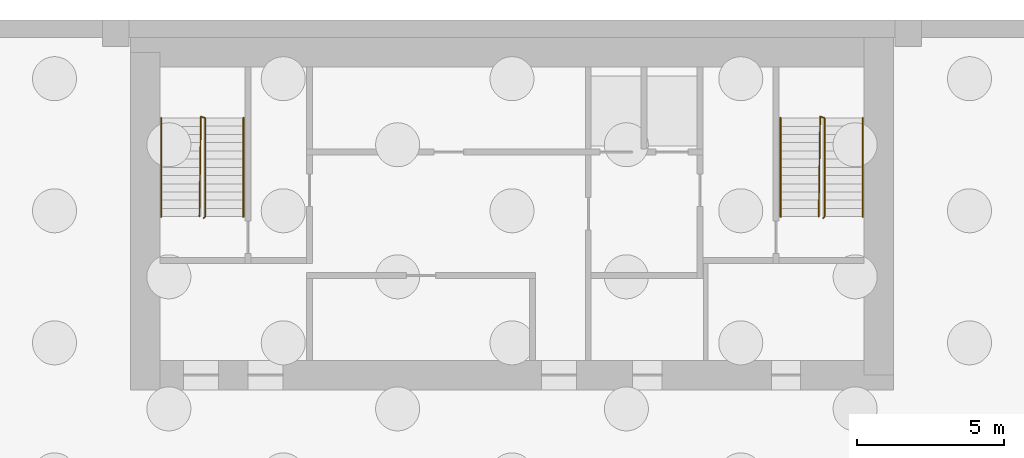
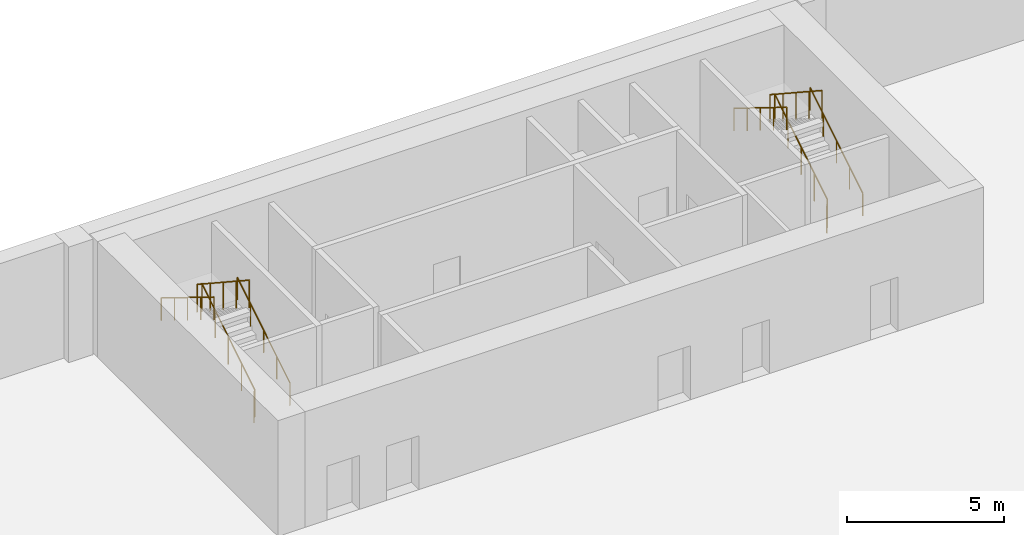
# One storey, part 4 of 5: 6 railings.
"""IFC4 building model written with IfcOpenShell, lengths in metres."""

from ifc_helpers import new_model, si_unit, direction, frame, origin, origin_2d, place, context, subcontext, project, spatial, circle, extrude, material, type_object, element, save


model = new_model("IFC4")

# Units and contexts
model_context = context("Model", 3, precision=1e-05, world=origin(), true_north=direction((0.0, 1.0)))
body_context = subcontext(model_context, "Body", "Model", "MODEL_VIEW")
ifc_project = project(units=[si_unit("LENGTHUNIT", "METRE"), si_unit("AREAUNIT", "SQUARE_METRE"), si_unit("VOLUMEUNIT", "CUBIC_METRE"), si_unit("PLANEANGLEUNIT", "RADIAN"), si_unit("MASSUNIT", "GRAM", prefix="KILO")], contexts=[model_context])

# Site, building, storey
site_placement = place(None, origin())
site = spatial("IfcSite", under=ifc_project, at=site_placement, CompositionType="ELEMENT")
building_placement = place(site_placement, origin())
building = spatial("IfcBuilding", under=site, at=building_placement, Name="Altiplano Prism Tower", CompositionType="ELEMENT")
storey_placement = place(building_placement, frame((0.0, 0.0, -9.0)))
storey = spatial("IfcBuildingStorey", under=building, at=storey_placement, Name="B2", CompositionType="ELEMENT", Elevation=-9.0)

# Railings
ifc_material = material(Name="Steel S355", Category="steel")
railing_type_1 = type_object("IfcRailingType", Name="Stair guard 1100", PredefinedType="GUARDRAIL", material=ifc_material)
railing_1_placement = place(storey_placement, frame((74.5, 98.25, 0.0)))
element("IfcRailing", 1, at=railing_1_placement, inside=storey, type_object=railing_type_1, Name="B2 ST1 stair guard 1", PredefinedType="GUARDRAIL", context=body_context, shape_type="SweptSolid", body=[
    extrude(circle(Radius=0.02392578125, at=origin_2d()), frame((0.0, 0.0, 1.076171875), z_axis=(0.267629722418, 0.267629722418, 0.925607186314), x_axis=(-0.707106781187, 0.707106781187, 0.0)), (0.0, 0.0, 1.0), 0.18701171875),
    extrude(circle(Radius=0.02392578125, at=origin_2d()), frame((0.050048828125, 0.050048828125, 1.2490234375), z_axis=(0.0, 0.850606129759, 0.525803396734), x_axis=(-1.0, 0.0, 0.0)), (0.0, 0.0, 1.0), 3.949951171875),
    extrude(circle(Radius=0.02392578125, at=origin_2d()), frame((0.050048828125, 3.409912109375, 3.326171875), z_axis=(-0.948683298051, 0.316227766017, 0.0), x_axis=(-0.316227766017, -0.948683298051, 0.0)), (0.0, 0.0, 1.0), 0.158203125),
    extrude(circle(Radius=0.02392578125, at=origin_2d()), frame((-0.10009765625, 3.4599609375, 3.326171875), z_axis=(-0.0121901703, -0.834608375372, 0.55070887001), x_axis=(0.999893351539, -0.01460429897, 0.0)), (0.0, 0.0, 1.0), 4.085693359375),
    extrude(circle(Radius=0.02099609375, at=origin_2d()), origin(), (0.0, 0.0, 1.0), 1.052001953125),
    extrude(circle(Radius=0.02099609375, at=origin_2d()), frame((0.050048828125, 0.050048828125, 0.173095703125)), (0.0, 0.0, 1.0), 1.052001953125),
    extrude(circle(Radius=0.02099609375, at=origin_2d()), frame((0.050048828125, 0.89013671875, 0.6923828125)), (0.0, 0.0, 1.0), 1.052001953125),
    extrude(circle(Radius=0.02099609375, at=origin_2d()), frame((0.050048828125, 1.72998046875, 1.21142578125)), (0.0, 0.0, 1.0), 1.052001953125),
    extrude(circle(Radius=0.02099609375, at=origin_2d()), frame((0.050048828125, 2.56982421875, 1.730712890625)), (0.0, 0.0, 1.0), 1.052001953125),
    extrude(circle(Radius=0.02099609375, at=origin_2d()), frame((0.050048828125, 3.409912109375, 2.25)), (0.0, 0.0, 1.0), 1.052001953125),
    extrude(circle(Radius=0.02099609375, at=origin_2d()), frame((-0.10009765625, 3.4599609375, 2.25)), (0.0, 0.0, 1.0), 1.052001953125),
    extrude(circle(Radius=0.02099609375, at=origin_2d()), frame((-0.112548828125, 2.607421875, 2.8125)), (0.0, 0.0, 1.0), 1.052001953125),
    extrude(circle(Radius=0.02099609375, at=origin_2d()), frame((-0.125, 1.7548828125, 3.375)), (0.0, 0.0, 1.0), 1.052001953125),
    extrude(circle(Radius=0.02099609375, at=origin_2d()), frame((-0.137451171875, 0.902587890625, 3.9375)), (0.0, 0.0, 1.0), 1.052001953125),
    extrude(circle(Radius=0.02099609375, at=origin_2d()), frame((-0.14990234375, 0.050048828125, 4.5)), (0.0, 0.0, 1.0), 1.052001953125),
])
railing_2_placement = place(storey_placement, frame((95.60009765625, 98.25, 0.0)))
element("IfcRailing", 2, at=railing_2_placement, inside=storey, type_object=railing_type_1, Name="B2 ST2 stair guard 1", PredefinedType="GUARDRAIL", context=body_context, shape_type="SweptSolid", body=[
    extrude(circle(Radius=0.02392578125, at=origin_2d()), frame((0.0, 0.0, 1.076171875), z_axis=(0.266417085129, 0.267723051232, 0.925929967433), x_axis=(-0.708833529934, 0.705375805398, 0.0)), (0.0, 0.0, 1.0), 0.18701171875),
    extrude(circle(Radius=0.02392578125, at=origin_2d()), frame((0.0498046875, 0.050048828125, 1.2490234375), z_axis=(0.0, 0.850606129759, 0.525803396734), x_axis=(-1.0, 0.0, 0.0)), (0.0, 0.0, 1.0), 3.949951171875),
    extrude(circle(Radius=0.02392578125, at=origin_2d()), frame((0.0498046875, 3.409912109375, 3.326171875), z_axis=(-0.948528701346, 0.316691178788, 0.0), x_axis=(-0.316691178788, -0.948528701346, 0.0)), (0.0, 0.0, 1.0), 0.157958984375),
    extrude(circle(Radius=0.02392578125, at=origin_2d()), frame((-0.10009765625, 3.4599609375, 3.326171875), z_axis=(-0.012249917091, -0.834607765926, 0.550708467873), x_axis=(0.999892303572, -0.014675873289, 0.0)), (0.0, 0.0, 1.0), 4.085693359375),
    extrude(circle(Radius=0.02099609375, at=origin_2d()), origin(), (0.0, 0.0, 1.0), 1.052001953125),
    extrude(circle(Radius=0.02099609375, at=origin_2d()), frame((0.0498046875, 0.050048828125, 0.173095703125)), (0.0, 0.0, 1.0), 1.052001953125),
    extrude(circle(Radius=0.02099609375, at=origin_2d()), frame((0.0498046875, 0.89013671875, 0.6923828125)), (0.0, 0.0, 1.0), 1.052001953125),
    extrude(circle(Radius=0.02099609375, at=origin_2d()), frame((0.0498046875, 1.72998046875, 1.21142578125)), (0.0, 0.0, 1.0), 1.052001953125),
    extrude(circle(Radius=0.02099609375, at=origin_2d()), frame((0.0498046875, 2.56982421875, 1.730712890625)), (0.0, 0.0, 1.0), 1.052001953125),
    extrude(circle(Radius=0.02099609375, at=origin_2d()), frame((0.0498046875, 3.409912109375, 2.25)), (0.0, 0.0, 1.0), 1.052001953125),
    extrude(circle(Radius=0.02099609375, at=origin_2d()), frame((-0.10009765625, 3.4599609375, 2.25)), (0.0, 0.0, 1.0), 1.052001953125),
    extrude(circle(Radius=0.02099609375, at=origin_2d()), frame((-0.112548828125, 2.607421875, 2.8125)), (0.0, 0.0, 1.0), 1.052001953125),
    extrude(circle(Radius=0.02099609375, at=origin_2d()), frame((-0.125, 1.7548828125, 3.375)), (0.0, 0.0, 1.0), 1.052001953125),
    extrude(circle(Radius=0.02099609375, at=origin_2d()), frame((-0.1376953125, 0.902587890625, 3.9375)), (0.0, 0.0, 1.0), 1.052001953125),
    extrude(circle(Radius=0.02099609375, at=origin_2d()), frame((-0.150146484375, 0.050048828125, 4.5)), (0.0, 0.0, 1.0), 1.052001953125),
])
railing_type_2 = type_object("IfcRailingType", Name="Stair handrail 900", PredefinedType="HANDRAIL", material=ifc_material)
railing_3_placement = place(storey_placement, frame((75.85009765625, 98.300048828125, 0.173095703125)))
element("IfcRailing", 3, at=railing_3_placement, inside=storey, type_object=railing_type_2, Name="B2 ST1 stair handrail 1", PredefinedType="HANDRAIL", context=body_context, shape_type="SweptSolid", body=[
    extrude(circle(Radius=0.02392578125, at=origin_2d()), frame((0.0, 0.0, 0.8759765625), z_axis=(0.0, 0.850606129759, 0.525803396734), x_axis=(-1.0, 0.0, 0.0)), (0.0, 0.0, 1.0), 3.949951171875),
    extrude(circle(Radius=0.02099609375, at=origin_2d()), origin(), (0.0, 0.0, 1.0), 0.851806640625),
    extrude(circle(Radius=0.02099609375, at=origin_2d()), frame((0.0, 0.83984375, 0.519287109375)), (0.0, 0.0, 1.0), 0.851806640625),
    extrude(circle(Radius=0.02099609375, at=origin_2d()), frame((0.0, 1.679931640625, 1.03857421875)), (0.0, 0.0, 1.0), 0.851806640625),
    extrude(circle(Radius=0.02099609375, at=origin_2d()), frame((0.0, 2.52001953125, 1.5576171875)), (0.0, 0.0, 1.0), 0.851806640625),
    extrude(circle(Radius=0.02099609375, at=origin_2d()), frame((0.0, 3.35986328125, 2.076904296875)), (0.0, 0.0, 1.0), 0.851806640625),
])
railing_4_placement = place(storey_placement, frame((73.050048828125, 101.659912109375, 2.423095703125)))
element("IfcRailing", 4, at=railing_4_placement, inside=storey, type_object=railing_type_2, Name="B2 ST1 stair handrail 2", PredefinedType="HANDRAIL", context=body_context, shape_type="SweptSolid", body=[
    extrude(circle(Radius=0.02392578125, at=origin_2d()), frame((0.0, 0.0, 0.8759765625), z_axis=(0.0, -0.850606129759, 0.525803396734), x_axis=(1.0, 0.0, 0.0)), (0.0, 0.0, 1.0), 3.949951171875),
    extrude(circle(Radius=0.02099609375, at=origin_2d()), origin(), (0.0, 0.0, 1.0), 0.851806640625),
    extrude(circle(Radius=0.02099609375, at=origin_2d()), frame((0.0, -0.83984375, 0.519287109375)), (0.0, 0.0, 1.0), 0.851806640625),
    extrude(circle(Radius=0.02099609375, at=origin_2d()), frame((0.0, -1.679931640625, 1.03857421875)), (0.0, 0.0, 1.0), 0.851806640625),
    extrude(circle(Radius=0.02099609375, at=origin_2d()), frame((0.0, -2.52001953125, 1.5576171875)), (0.0, 0.0, 1.0), 0.851806640625),
    extrude(circle(Radius=0.02099609375, at=origin_2d()), frame((0.0, -3.35986328125, 2.076904296875)), (0.0, 0.0, 1.0), 0.851806640625),
])
railing_5_placement = place(storey_placement, frame((96.949951171875, 98.300048828125, 0.173095703125)))
element("IfcRailing", 5, at=railing_5_placement, inside=storey, type_object=railing_type_2, Name="B2 ST2 stair handrail 1", PredefinedType="HANDRAIL", context=body_context, shape_type="SweptSolid", body=[
    extrude(circle(Radius=0.02392578125, at=origin_2d()), frame((0.0, 0.0, 0.8759765625), z_axis=(0.0, 0.850606129759, 0.525803396734), x_axis=(-1.0, 0.0, 0.0)), (0.0, 0.0, 1.0), 3.949951171875),
    extrude(circle(Radius=0.02099609375, at=origin_2d()), origin(), (0.0, 0.0, 1.0), 0.851806640625),
    extrude(circle(Radius=0.02099609375, at=origin_2d()), frame((0.0, 0.83984375, 0.519287109375)), (0.0, 0.0, 1.0), 0.851806640625),
    extrude(circle(Radius=0.02099609375, at=origin_2d()), frame((0.0, 1.679931640625, 1.03857421875)), (0.0, 0.0, 1.0), 0.851806640625),
    extrude(circle(Radius=0.02099609375, at=origin_2d()), frame((0.0, 2.52001953125, 1.5576171875)), (0.0, 0.0, 1.0), 0.851806640625),
    extrude(circle(Radius=0.02099609375, at=origin_2d()), frame((0.0, 3.35986328125, 2.076904296875)), (0.0, 0.0, 1.0), 0.851806640625),
])
railing_6_placement = place(storey_placement, frame((94.14990234375, 101.659912109375, 2.423095703125)))
element("IfcRailing", 6, at=railing_6_placement, inside=storey, type_object=railing_type_2, Name="B2 ST2 stair handrail 2", PredefinedType="HANDRAIL", context=body_context, shape_type="SweptSolid", body=[
    extrude(circle(Radius=0.02392578125, at=origin_2d()), frame((0.0, 0.0, 0.8759765625), z_axis=(0.0, -0.850606129759, 0.525803396734), x_axis=(1.0, 0.0, 0.0)), (0.0, 0.0, 1.0), 3.949951171875),
    extrude(circle(Radius=0.02099609375, at=origin_2d()), origin(), (0.0, 0.0, 1.0), 0.851806640625),
    extrude(circle(Radius=0.02099609375, at=origin_2d()), frame((0.0, -0.83984375, 0.519287109375)), (0.0, 0.0, 1.0), 0.851806640625),
    extrude(circle(Radius=0.02099609375, at=origin_2d()), frame((0.0, -1.679931640625, 1.03857421875)), (0.0, 0.0, 1.0), 0.851806640625),
    extrude(circle(Radius=0.02099609375, at=origin_2d()), frame((0.0, -2.52001953125, 1.5576171875)), (0.0, 0.0, 1.0), 0.851806640625),
    extrude(circle(Radius=0.02099609375, at=origin_2d()), frame((0.0, -3.35986328125, 2.076904296875)), (0.0, 0.0, 1.0), 0.851806640625),
])

save(model, "model.ifc")
